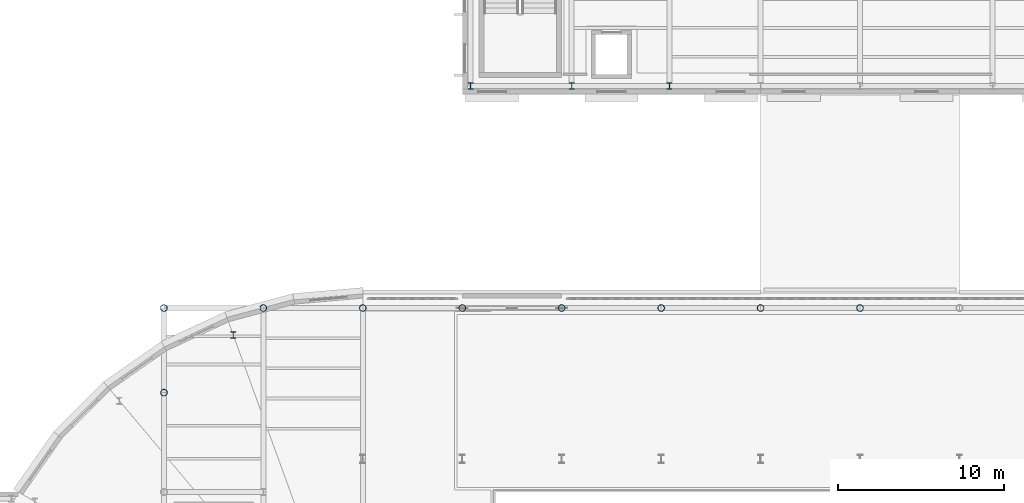
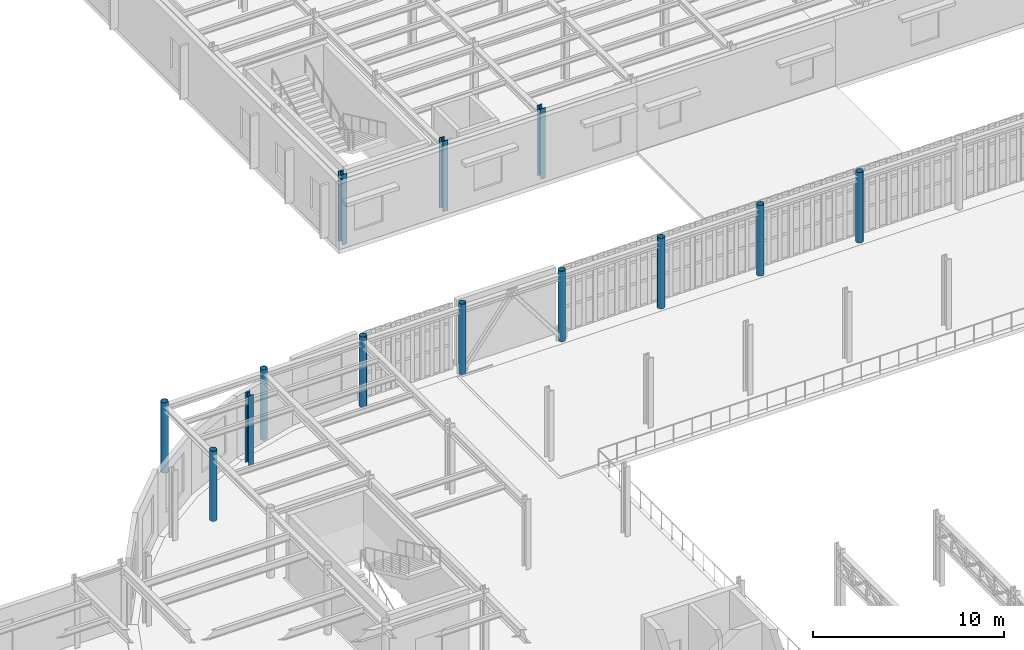
# One storey, part 10 of 91: 13 columns.
"""IFC4 building model written with IfcOpenShell, lengths in metres."""

from ifc_helpers import new_model, si_unit, direction, frame, origin, origin_2d, place, context, subcontext, project, spatial, hollow_circle, i_section, extrude, material, material_profile, profile_set, type_object, element, save


model = new_model("IFC4")

# Units and contexts
model_context = context("Model", 3, precision=1e-05, world=origin(), true_north=direction((0.0, 1.0)))
body_context = subcontext(model_context, "Body", "Model", "MODEL_VIEW")
ifc_project = project(units=[si_unit("LENGTHUNIT", "METRE"), si_unit("AREAUNIT", "SQUARE_METRE"), si_unit("VOLUMEUNIT", "CUBIC_METRE"), si_unit("PLANEANGLEUNIT", "RADIAN"), si_unit("MASSUNIT", "GRAM", prefix="KILO")], contexts=[model_context])

# Site, building, storey
site_placement = place(None, origin())
site = spatial("IfcSite", under=ifc_project, at=site_placement, CompositionType="ELEMENT")
building_placement = place(site_placement, origin())
building = spatial("IfcBuilding", under=site, at=building_placement, Name="Kolvaren Corner Interchange", CompositionType="ELEMENT")
storey_placement = place(building_placement, frame((0.0, 0.0, 6.0)))
storey = spatial("IfcBuildingStorey", under=building, at=storey_placement, Name="L02", CompositionType="ELEMENT", Elevation=6.0)

# Columns
ifc_material_1 = material(Name="Steel S355", Category="steel")
ifc_material_profile_1 = material_profile(ifc_material_1, hollow_circle(Radius=0.203125, WallThickness=0.01611328125, at=origin_2d()), Name="CHS 406.4x16.0")
ifc_profile_set_1 = profile_set([ifc_material_profile_1], Name="Steel S355")
column_type_1 = type_object("IfcColumnType", Name="COL-CHS406", PredefinedType="COLUMN", material=ifc_profile_set_1)
for number, where, z_axis, x_axis, name in (
    (1, (60.0, 71.10009765625, 0.0), (0.0, 0.0, 1.0), (1.0, 0.0, 0.0), "Storey L02 Structural Column 0481"),
    (2, (66.0, 71.10009765625, 0.0), (0.0, 0.0, 1.0), (1.0, 0.0, 0.0), "Storey L02 Structural Column 0501"),
    (3, (72.0, 71.10009765625, 0.0), (0.0, 0.0, 1.0), (1.0, 0.0, 0.0), "Storey L02 Structural Column 0521"),
    (4, (78.0, 71.10009765625, 0.0), (0.0, 0.0, 1.0), (1.0, 0.0, 0.0), "Storey L02 Structural Column 0541"),
    (5, (84.0, 71.10009765625, 0.0), (0.0, 0.0, 1.0), (1.0, 0.0, 0.0), "Storey L02 Structural Column 0561"),
    (6, (90.0, 71.10009765625, 0.0), (0.0, 0.0, 1.0), (1.0, 0.0, 0.0), "Storey L02 Structural Column 0581"),
    (7, (48.0, 66.0, 0.0), (0.0, 0.0, 1.0), (1.0, 0.0, 0.0), "Storey L02 Structural Column 0707"),
    (8, (48.0, 71.10009765625, 0.0), (0.0, 0.0, 1.0), (1.0, 0.0, 0.0), "Storey L02 Structural Column 0711"),
    (9, (54.0, 71.10009765625, 0.0), (0.0, 0.0, 1.0), (1.0, 0.0, 0.0), "Storey L02 Structural Column 0728"),
):
    element("IfcColumn", number, at=place(storey_placement, frame(where, z_axis=z_axis, x_axis=x_axis)), inside=storey, type_object=column_type_1, Name=name, PredefinedType="COLUMN", context=body_context, shape_type="SweptSolid", body=[
        extrude(hollow_circle(Radius=0.203125, WallThickness=0.01611328125, at=origin_2d()), origin(), (0.0, 0.0, 1.0), 4.5),
    ])
ifc_material_2 = material(Name="Steel S355", Category="steel")
ifc_material_profile_2 = material_profile(ifc_material_2, i_section(OverallWidth=0.300048828125, OverallDepth=0.39990234375, WebThickness=0.013427734375, FlangeThickness=0.02392578125, FilletRadius=0.027099609375, at=origin_2d()), Name="HEB 400")
ifc_profile_set_2 = profile_set([ifc_material_profile_2], Name="Steel S355")
column_type_2 = type_object("IfcColumnType", Name="COL-HEB400", PredefinedType="COLUMN", material=ifc_profile_set_2)
for number, where, z_axis, x_axis, name in (
    (10, (52.18505859375, 69.471923828125, 0.0), (0.0, 0.0, 1.0), (1.0, 0.0, 0.0), "Storey L02 Structural Column 0785"),
    (11, (66.5, 84.5, 0.0), (0.0, 0.0, 1.0), (1.0, 0.0, 0.0), "Storey L02 Structural Column 0848"),
    (12, (72.60009765625, 84.5, 0.0), (0.0, 0.0, 1.0), (1.0, 0.0, 0.0), "Storey L02 Structural Column 0861"),
    (13, (78.5, 84.5, 0.0), (0.0, 0.0, 1.0), (1.0, 0.0, 0.0), "Storey L02 Structural Column 0874"),
):
    element("IfcColumn", number, at=place(storey_placement, frame(where, z_axis=z_axis, x_axis=x_axis)), inside=storey, type_object=column_type_2, Name=name, PredefinedType="COLUMN", context=body_context, shape_type="SweptSolid", body=[
        extrude(i_section(OverallWidth=0.300048828125, OverallDepth=0.39990234375, WebThickness=0.013427734375, FlangeThickness=0.02392578125, FilletRadius=0.027099609375, at=origin_2d()), origin(), (0.0, 0.0, 1.0), 4.5),
    ])

save(model, "model.ifc")
